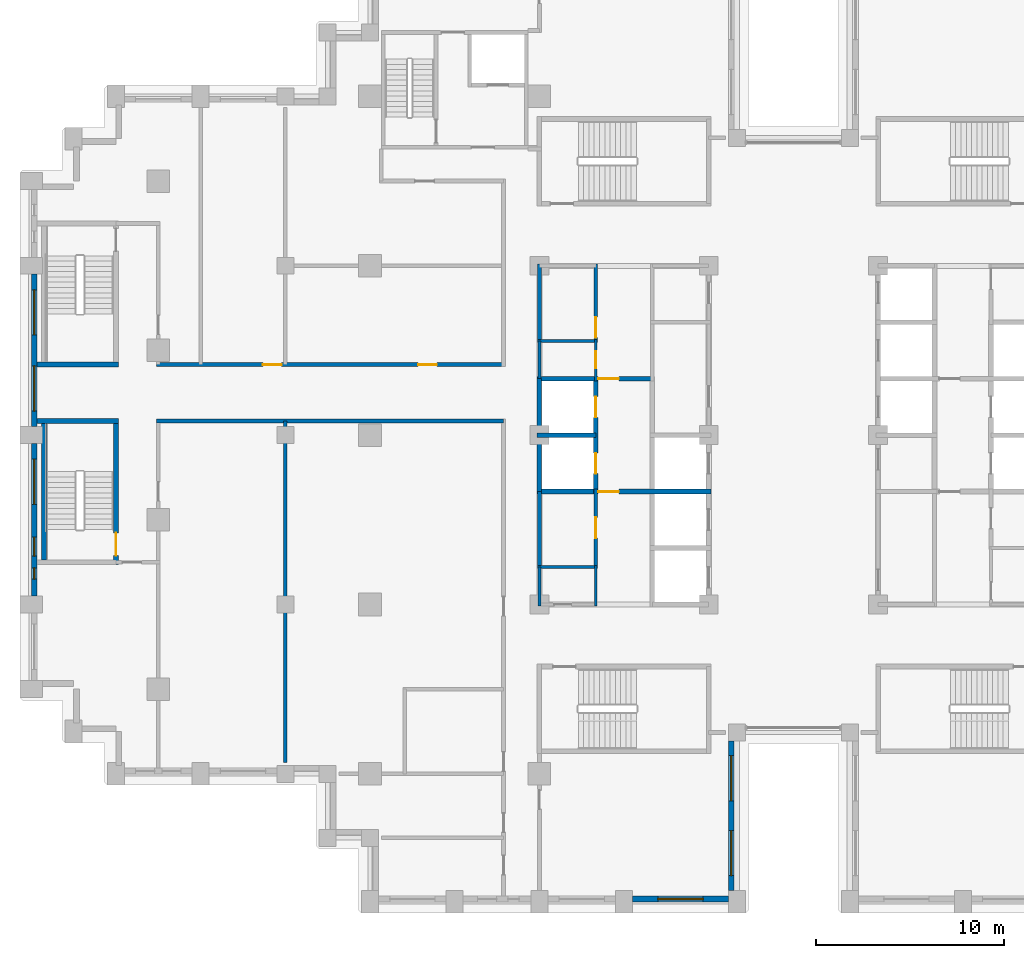
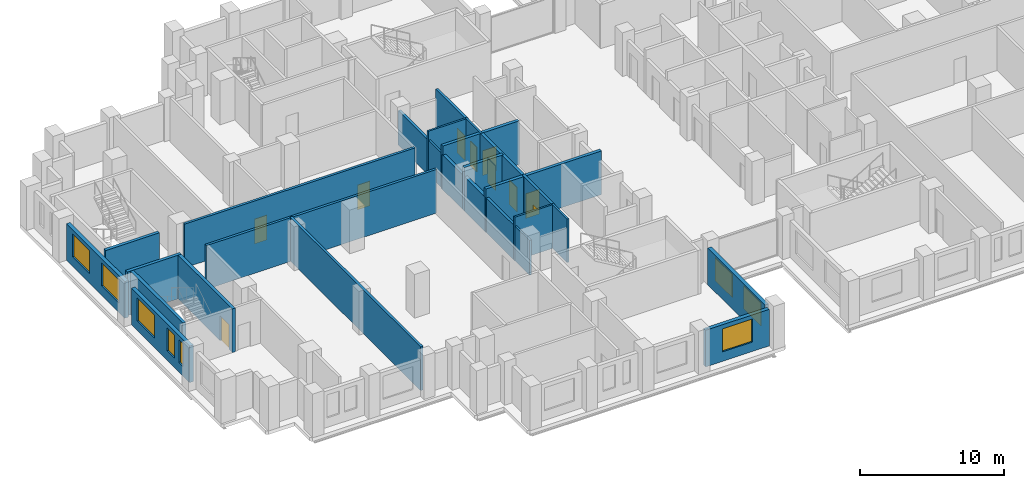
# One storey, part 7 of 16: 26 walls, 10 doors, 8 windows, 18 openings.
"""IFC4 building model written with IfcOpenShell, lengths in metres."""

from ifc_helpers import new_model, si_unit, direction, frame, frame_2d, origin, place, context, subcontext, project, spatial, rectangle, extrude, material, layer, layer_set, type_object, element, fill, save


model = new_model("IFC4")

# Units and contexts
model_context = context("Model", 3, precision=1e-05, world=origin(), true_north=direction((0.0, 1.0)))
body_context = subcontext(model_context, "Body", "Model", "MODEL_VIEW")
ifc_project = project(units=[si_unit("LENGTHUNIT", "METRE"), si_unit("AREAUNIT", "SQUARE_METRE"), si_unit("VOLUMEUNIT", "CUBIC_METRE"), si_unit("PLANEANGLEUNIT", "RADIAN"), si_unit("MASSUNIT", "GRAM", prefix="KILO")], contexts=[model_context])

# Site, building, storey
site_placement = place(None, origin())
site = spatial("IfcSite", under=ifc_project, at=site_placement, CompositionType="ELEMENT")
building_placement = place(site_placement, origin())
building = spatial("IfcBuilding", under=site, at=building_placement, Name="Corbelhall Arena Tower", CompositionType="ELEMENT")
storey_placement = place(building_placement, frame((0.0, 0.0, 72.0)))
storey = spatial("IfcBuildingStorey", under=building, at=storey_placement, Name="L10", CompositionType="ELEMENT", Elevation=72.0)

# Wall, openings, windows
ifc_material_1 = material(Name="Precast concrete C40/50 with granite facing", Category="masonry")
ifc_layer_1 = layer(ifc_material_1, 0.300048828125)
ifc_layer_set_1 = layer_set([ifc_layer_1], Name="EV-IW1 Infill panel 300")
wall_type_1 = type_object("IfcWallType", Name="EV-IW1 Infill panel 300", PredefinedType="SOLIDWALL", material=ifc_layer_set_1)
wall_1_placement = place(storey_placement, frame((-40.35009765625, 8.550048828125, 0.0), z_axis=(0.0, 0.0, 1.0), x_axis=(0.0, -1.0, 0.0)))
wall_1 = element("IfcWall", 1, at=wall_1_placement, inside=storey, type_object=wall_type_1, Name="Infill panel IW1", PredefinedType="SOLIDWALL", context=body_context, shape_type="SweptSolid", body=[
    extrude(rectangle(XDim=8.10009765625, YDim=0.300048828125, at=frame_2d((4.050048828125, 0.0))), origin(), (0.0, 0.0, 1.0), 3.10009765625),
])
opening_1_placement = place(wall_1_placement, frame((0.824951171875, 0.0, 0.800048828125)))
opening_1 = element("IfcOpeningElement", 2, at=opening_1_placement, cuts=wall_1, Name="Opening WN1", PredefinedType="OPENING", context=body_context, shape_type="SweptSolid", body=[
    extrude(rectangle(XDim=2.39990234375, YDim=1.949951171875, at=frame_2d((1.199951171875, 0.97509765625))), frame((0.0, 0.14990234375, 0.0), z_axis=(0.0, -1.0, 0.0), x_axis=(1.0, 0.0, 0.0)), (0.0, 0.0, 1.0), 0.300048828125),
])
opening_2_placement = place(wall_1_placement, frame((4.875, 0.0, 0.800048828125)))
opening_2 = element("IfcOpeningElement", 3, at=opening_2_placement, cuts=wall_1, Name="Opening WN1", PredefinedType="OPENING", context=body_context, shape_type="SweptSolid", body=[
    extrude(rectangle(XDim=2.39990234375, YDim=1.949951171875, at=frame_2d((1.199951171875, 0.97509765625))), frame((0.0, 0.14990234375, 0.0), z_axis=(0.0, -1.0, 0.0), x_axis=(1.0, 0.0, 0.0)), (0.0, 0.0, 1.0), 0.300048828125),
])
ifc_material_2 = material(Name="Aluminium black anodised", Category="aluminium")
window_type_1 = type_object("IfcWindowType", Name="EV-WN1 Office window", PartitioningType="SINGLE_PANEL", PredefinedType="WINDOW", material=ifc_material_2)
window_1_placement = place(opening_1_placement, origin())
window_1 = element("IfcWindow", 4, at=window_1_placement, inside=storey, type_object=window_type_1, Name="Window WN1", OverallHeight=1.949951171875, OverallWidth=2.39990234375, PartitioningType="SINGLE_PANEL", PredefinedType="WINDOW", context=body_context, shape_type="SweptSolid", body=[
    extrude(rectangle(XDim=2.39990234375, YDim=1.949951171875, at=frame_2d((1.199951171875, 0.97509765625))), frame((0.0, 0.030029296875, 0.0), z_axis=(0.0, -1.0, 0.0), x_axis=(1.0, 0.0, 0.0)), (0.0, 0.0, 1.0), 0.06005859375),
])
fill(opening_1, window_1)
window_2_placement = place(opening_2_placement, origin())
window_2 = element("IfcWindow", 5, at=window_2_placement, inside=storey, type_object=window_type_1, Name="Window WN1", OverallHeight=1.949951171875, OverallWidth=2.39990234375, PartitioningType="SINGLE_PANEL", PredefinedType="WINDOW", context=body_context, shape_type="SweptSolid", body=[
    extrude(rectangle(XDim=2.39990234375, YDim=1.949951171875, at=frame_2d((1.199951171875, 0.97509765625))), frame((0.0, 0.030029296875, 0.0), z_axis=(0.0, -1.0, 0.0), x_axis=(1.0, 0.0, 0.0)), (0.0, 0.0, 1.0), 0.06005859375),
])
fill(opening_2, window_2)

wall_2_placement = place(storey_placement, frame((-40.35009765625, -0.449951171875, 0.0), z_axis=(0.0, 0.0, 1.0), x_axis=(0.0, -1.0, 0.0)))
wall_2 = element("IfcWall", 6, at=wall_2_placement, inside=storey, type_object=wall_type_1, Name="Infill panel IW1", PredefinedType="SOLIDWALL", context=body_context, shape_type="SweptSolid", body=[
    extrude(rectangle(XDim=8.10009765625, YDim=0.300048828125, at=frame_2d((4.050048828125, 0.0))), origin(), (0.0, 0.0, 1.0), 3.10009765625),
])
opening_3_placement = place(wall_2_placement, frame((0.824951171875, 0.0, 0.800048828125)))
opening_3 = element("IfcOpeningElement", 7, at=opening_3_placement, cuts=wall_2, Name="Opening WN1", PredefinedType="OPENING", context=body_context, shape_type="SweptSolid", body=[
    extrude(rectangle(XDim=2.39990234375, YDim=1.949951171875, at=frame_2d((1.199951171875, 0.97509765625))), frame((0.0, 0.14990234375, 0.0), z_axis=(0.0, -1.0, 0.0), x_axis=(1.0, 0.0, 0.0)), (0.0, 0.0, 1.0), 0.300048828125),
])
opening_4_placement = place(wall_2_placement, frame((4.97509765625, 0.0, 0.800048828125)))
opening_4 = element("IfcOpeningElement", 8, at=opening_4_placement, cuts=wall_2, Name="Opening WN6", PredefinedType="OPENING", context=body_context, shape_type="SweptSolid", body=[
    extrude(rectangle(XDim=1.0, YDim=1.949951171875, at=frame_2d((0.5, 0.97509765625))), frame((0.0, 0.14990234375, 0.0), z_axis=(0.0, -1.0, 0.0), x_axis=(1.0, 0.0, 0.0)), (0.0, 0.0, 1.0), 0.300048828125),
])
opening_5_placement = place(wall_2_placement, frame((6.60009765625, 0.0, 0.800048828125)))
opening_5 = element("IfcOpeningElement", 9, at=opening_5_placement, cuts=wall_2, Name="Opening WN5", PredefinedType="OPENING", context=body_context, shape_type="SweptSolid", body=[
    extrude(rectangle(XDim=0.60009765625, YDim=1.949951171875, at=frame_2d((0.300048828125, 0.97509765625))), frame((0.0, 0.14990234375, 0.0), z_axis=(0.0, -1.0, 0.0), x_axis=(1.0, 0.0, 0.0)), (0.0, 0.0, 1.0), 0.300048828125),
])
window_3_placement = place(opening_3_placement, origin())
window_3 = element("IfcWindow", 10, at=window_3_placement, inside=storey, type_object=window_type_1, Name="Window WN1", OverallHeight=1.949951171875, OverallWidth=2.39990234375, PartitioningType="SINGLE_PANEL", PredefinedType="WINDOW", context=body_context, shape_type="SweptSolid", body=[
    extrude(rectangle(XDim=2.39990234375, YDim=1.949951171875, at=frame_2d((1.199951171875, 0.97509765625))), frame((0.0, 0.030029296875, 0.0), z_axis=(0.0, -1.0, 0.0), x_axis=(1.0, 0.0, 0.0)), (0.0, 0.0, 1.0), 0.06005859375),
])
fill(opening_3, window_3)
window_type_2 = type_object("IfcWindowType", Name="EV-WN5 Office window 600", PartitioningType="SINGLE_PANEL", PredefinedType="WINDOW", material=ifc_material_2)
window_4_placement = place(opening_5_placement, origin())
window_4 = element("IfcWindow", 11, at=window_4_placement, inside=storey, type_object=window_type_2, Name="Window WN5", OverallHeight=1.949951171875, OverallWidth=0.60009765625, PartitioningType="SINGLE_PANEL", PredefinedType="WINDOW", context=body_context, shape_type="SweptSolid", body=[
    extrude(rectangle(XDim=0.60009765625, YDim=1.949951171875, at=frame_2d((0.300048828125, 0.97509765625))), frame((0.0, 0.030029296875, 0.0), z_axis=(0.0, -1.0, 0.0), x_axis=(1.0, 0.0, 0.0)), (0.0, 0.0, 1.0), 0.06005859375),
])
fill(opening_5, window_4)
window_type_3 = type_object("IfcWindowType", Name="EV-WN6 Office window 1000", PartitioningType="SINGLE_PANEL", PredefinedType="WINDOW", material=ifc_material_2)
window_5_placement = place(opening_4_placement, origin())
window_5 = element("IfcWindow", 12, at=window_5_placement, inside=storey, type_object=window_type_3, Name="Window WN6", OverallHeight=1.949951171875, OverallWidth=1.0, PartitioningType="SINGLE_PANEL", PredefinedType="WINDOW", context=body_context, shape_type="SweptSolid", body=[
    extrude(rectangle(XDim=1.0, YDim=1.949951171875, at=frame_2d((0.5, 0.97509765625))), frame((0.0, 0.030029296875, 0.0), z_axis=(0.0, -1.0, 0.0), x_axis=(1.0, 0.0, 0.0)), (0.0, 0.0, 1.0), 0.06005859375),
])
fill(opening_4, window_5)

# Wall, opening, window
wall_3_placement = place(storey_placement, frame((-8.550048828125, -24.64990234375, 0.0), z_axis=(0.0, 0.0, 1.0), x_axis=(1.0, 0.0, 0.0)))
wall_3 = element("IfcWall", 13, at=wall_3_placement, inside=storey, type_object=wall_type_1, Name="Infill panel IW1", PredefinedType="SOLIDWALL", context=body_context, shape_type="SweptSolid", body=[
    extrude(rectangle(XDim=5.10009765625, YDim=0.300048828125, at=frame_2d((2.550048828125, 0.0))), origin(), (0.0, 0.0, 1.0), 3.10009765625),
])
opening_6_placement = place(wall_3_placement, frame((1.35009765625, 0.0, 0.800048828125)))
opening_6 = element("IfcOpeningElement", 14, at=opening_6_placement, cuts=wall_3, Name="Opening WN1", PredefinedType="OPENING", context=body_context, shape_type="SweptSolid", body=[
    extrude(rectangle(XDim=2.39990234375, YDim=1.949951171875, at=frame_2d((1.199951171875, 0.97509765625))), frame((0.0, 0.14990234375, 0.0), z_axis=(0.0, -1.0, 0.0), x_axis=(1.0, 0.0, 0.0)), (0.0, 0.0, 1.0), 0.300048828125),
])
window_6_placement = place(opening_6_placement, origin())
window_6 = element("IfcWindow", 15, at=window_6_placement, inside=storey, type_object=window_type_1, Name="Window WN1", OverallHeight=1.949951171875, OverallWidth=2.39990234375, PartitioningType="SINGLE_PANEL", PredefinedType="WINDOW", context=body_context, shape_type="SweptSolid", body=[
    extrude(rectangle(XDim=2.39990234375, YDim=1.949951171875, at=frame_2d((1.199951171875, 0.97509765625))), frame((0.0, 0.030029296875, 0.0), z_axis=(0.0, -1.0, 0.0), x_axis=(1.0, 0.0, 0.0)), (0.0, 0.0, 1.0), 0.06005859375),
])
fill(opening_6, window_6)

# Wall, openings, windows
wall_4_placement = place(storey_placement, frame((-3.300048828125, -24.199951171875, 0.0), z_axis=(0.0, 0.0, 1.0), x_axis=(0.0, 1.0, 0.0)))
wall_4 = element("IfcWall", 16, at=wall_4_placement, inside=storey, type_object=wall_type_1, Name="Infill panel IW1", PredefinedType="SOLIDWALL", context=body_context, shape_type="SweptSolid", body=[
    extrude(rectangle(XDim=7.949951171875, YDim=0.300048828125, at=frame_2d((3.97509765625, 0.0))), origin(), (0.0, 0.0, 1.0), 3.10009765625),
])
opening_7_placement = place(wall_4_placement, frame((0.78759765625, 0.0, 0.800048828125)))
opening_7 = element("IfcOpeningElement", 17, at=opening_7_placement, cuts=wall_4, Name="Opening WN1", PredefinedType="OPENING", context=body_context, shape_type="SweptSolid", body=[
    extrude(rectangle(XDim=2.39990234375, YDim=1.949951171875, at=frame_2d((1.199951171875, 0.97509765625))), frame((0.0, 0.14990234375, 0.0), z_axis=(0.0, -1.0, 0.0), x_axis=(1.0, 0.0, 0.0)), (0.0, 0.0, 1.0), 0.300048828125),
])
opening_8_placement = place(wall_4_placement, frame((4.762451171875, 0.0, 0.800048828125)))
opening_8 = element("IfcOpeningElement", 18, at=opening_8_placement, cuts=wall_4, Name="Opening WN1", PredefinedType="OPENING", context=body_context, shape_type="SweptSolid", body=[
    extrude(rectangle(XDim=2.39990234375, YDim=1.949951171875, at=frame_2d((1.199951171875, 0.97509765625))), frame((0.0, 0.14990234375, 0.0), z_axis=(0.0, -1.0, 0.0), x_axis=(1.0, 0.0, 0.0)), (0.0, 0.0, 1.0), 0.300048828125),
])
window_7_placement = place(opening_7_placement, origin())
window_7 = element("IfcWindow", 19, at=window_7_placement, inside=storey, type_object=window_type_1, Name="Window WN1", OverallHeight=1.949951171875, OverallWidth=2.39990234375, PartitioningType="SINGLE_PANEL", PredefinedType="WINDOW", context=body_context, shape_type="SweptSolid", body=[
    extrude(rectangle(XDim=2.39990234375, YDim=1.949951171875, at=frame_2d((1.199951171875, 0.97509765625))), frame((0.0, 0.030029296875, 0.0), z_axis=(0.0, -1.0, 0.0), x_axis=(1.0, 0.0, 0.0)), (0.0, 0.0, 1.0), 0.06005859375),
])
fill(opening_7, window_7)
window_8_placement = place(opening_8_placement, origin())
window_8 = element("IfcWindow", 20, at=window_8_placement, inside=storey, type_object=window_type_1, Name="Window WN1", OverallHeight=1.949951171875, OverallWidth=2.39990234375, PartitioningType="SINGLE_PANEL", PredefinedType="WINDOW", context=body_context, shape_type="SweptSolid", body=[
    extrude(rectangle(XDim=2.39990234375, YDim=1.949951171875, at=frame_2d((1.199951171875, 0.97509765625))), frame((0.0, 0.030029296875, 0.0), z_axis=(0.0, -1.0, 0.0), x_axis=(1.0, 0.0, 0.0)), (0.0, 0.0, 1.0), 0.06005859375),
])
fill(opening_8, window_8)

# Wall, openings, doors
ifc_material_3 = material(Name="Gypsum board on steel stud, acoustic", Category="steel")
ifc_layer_2 = layer(ifc_material_3, 0.199951171875)
ifc_layer_set_2 = layer_set([ifc_layer_2], Name="IN-W-DM200")
wall_type_2 = type_object("IfcWallType", Name="IN-W-DM200", PredefinedType="PARTITIONING", material=ifc_layer_set_2)
wall_5_placement = place(storey_placement, frame((-33.85009765625, 3.75, 0.0), z_axis=(0.0, 0.0, 1.0), x_axis=(1.0, 0.0, 0.0)))
wall_5 = element("IfcWall", 21, at=wall_5_placement, inside=storey, type_object=wall_type_2, Name="Partition 002", PredefinedType="PARTITIONING", context=body_context, shape_type="SweptSolid", body=[
    extrude(rectangle(XDim=18.4501953125, YDim=0.199951171875, at=frame_2d((9.22509765625, 0.0))), origin(), (0.0, 0.0, 1.0), 3.699951171875),
])
opening_9_placement = place(wall_5_placement, frame((13.89990234375, 0.0, 0.0)))
opening_9 = element("IfcOpeningElement", 22, at=opening_9_placement, cuts=wall_5, Name="Opening 01027", PredefinedType="OPENING", context=body_context, shape_type="SweptSolid", body=[
    extrude(rectangle(XDim=1.0, YDim=2.10009765625, at=frame_2d((0.5, 1.050048828125))), frame((0.0, 0.10009765625, 0.0), z_axis=(0.0, -1.0, 0.0), x_axis=(1.0, 0.0, 0.0)), (0.0, 0.0, 1.0), 0.199951171875),
])
opening_10_placement = place(wall_5_placement, frame((5.64990234375, 0.0, 0.0)))
opening_10 = element("IfcOpeningElement", 23, at=opening_10_placement, cuts=wall_5, Name="Opening 01041", PredefinedType="OPENING", context=body_context, shape_type="SweptSolid", body=[
    extrude(rectangle(XDim=1.0, YDim=2.10009765625, at=frame_2d((0.5, 1.050048828125))), frame((0.0, 0.10009765625, 0.0), z_axis=(0.0, -1.0, 0.0), x_axis=(1.0, 0.0, 0.0)), (0.0, 0.0, 1.0), 0.199951171875),
])
ifc_material_4 = material(Name="Steel door set", Category="steel")
door_type_1 = type_object("IfcDoorType", Name="IN-D-SW100", OperationType="NOTDEFINED", PredefinedType="DOOR", material=ifc_material_4)
door_1_placement = place(opening_9_placement, origin())
door_1 = element("IfcDoor", 24, at=door_1_placement, inside=storey, type_object=door_type_1, Name="Door 027", OperationType="SINGLE_SWING_RIGHT", OverallHeight=2.10009765625, OverallWidth=1.0, PredefinedType="DOOR", context=body_context, shape_type="SweptSolid", body=[
    extrude(rectangle(XDim=1.0, YDim=2.10009765625, at=frame_2d((0.5, 1.050048828125))), frame((0.0, 0.02490234375, 0.0), z_axis=(0.0, -1.0, 0.0), x_axis=(1.0, 0.0, 0.0)), (0.0, 0.0, 1.0), 0.050048828125),
])
fill(opening_9, door_1)
door_2_placement = place(opening_10_placement, origin())
door_2 = element("IfcDoor", 25, at=door_2_placement, inside=storey, type_object=door_type_1, Name="Door 041", OperationType="SINGLE_SWING_RIGHT", OverallHeight=2.10009765625, OverallWidth=1.0, PredefinedType="DOOR", context=body_context, shape_type="SweptSolid", body=[
    extrude(rectangle(XDim=1.0, YDim=2.10009765625, at=frame_2d((0.5, 1.050048828125))), frame((0.0, 0.02490234375, 0.0), z_axis=(0.0, -1.0, 0.0), x_axis=(1.0, 0.0, 0.0)), (0.0, 0.0, 1.0), 0.050048828125),
])
fill(opening_10, door_2)

# Walls
wall_6_placement = place(storey_placement, frame((-27.0, -17.39990234375, 0.0), z_axis=(0.0, 0.0, 1.0), x_axis=(0.0, 1.0, 0.0)))
element("IfcWall", 26, at=wall_6_placement, inside=storey, type_object=wall_type_2, Name="Partition 008", PredefinedType="PARTITIONING", context=body_context, shape_type="SweptSolid", body=[
    extrude(rectangle(XDim=18.14990234375, YDim=0.199951171875, at=frame_2d((9.074951171875, 0.0))), origin(), (0.0, 0.0, 1.0), 3.699951171875),
])
wall_7_placement = place(storey_placement, frame((-15.39990234375, 0.75, 0.0), z_axis=(0.0, 0.0, 1.0), x_axis=(-1.0, 0.0, 0.0)))
element("IfcWall", 27, at=wall_7_placement, inside=storey, type_object=wall_type_2, Name="Partition 010", PredefinedType="PARTITIONING", context=body_context, shape_type="SweptSolid", body=[
    extrude(rectangle(XDim=18.4501953125, YDim=0.199951171875, at=frame_2d((9.22509765625, 0.0))), origin(), (0.0, 0.0, 1.0), 3.699951171875),
])

# Wall, opening, door
ifc_material_5 = material(Name="Concrete block wall", Category="concrete")
ifc_layer_3 = layer(ifc_material_5, 0.199951171875)
ifc_layer_set_3 = layer_set([ifc_layer_3], Name="IN-W-RS200")
wall_type_3 = type_object("IfcWallType", Name="IN-W-RS200", PredefinedType="SOLIDWALL", material=ifc_layer_set_3)
wall_8_placement = place(storey_placement, frame((-10.5, -7.074951171875, 0.0), z_axis=(0.0, 0.0, 1.0), x_axis=(0.0, 1.0, 0.0)))
wall_8 = element("IfcWall", 28, at=wall_8_placement, inside=storey, type_object=wall_type_3, Name="Partition 047", PredefinedType="SOLIDWALL", context=body_context, shape_type="SweptSolid", body=[
    extrude(rectangle(XDim=4.199951171875, YDim=0.199951171875, at=frame_2d((2.10009765625, 0.0))), origin(), (0.0, 0.0, 1.0), 3.699951171875),
])
opening_11_placement = place(wall_8_placement, frame((1.60009765625, 0.0, 0.0)))
opening_11 = element("IfcOpeningElement", 29, at=opening_11_placement, cuts=wall_8, Name="Opening 01006", PredefinedType="OPENING", context=body_context, shape_type="SweptSolid", body=[
    extrude(rectangle(XDim=1.10009765625, YDim=2.10009765625, at=frame_2d((0.550048828125, 1.050048828125))), frame((0.0, 0.10009765625, 0.0), z_axis=(0.0, -1.0, 0.0), x_axis=(1.0, 0.0, 0.0)), (0.0, 0.0, 1.0), 0.199951171875),
])
door_type_2 = type_object("IfcDoorType", Name="IN-D-FD110", OperationType="NOTDEFINED", PredefinedType="DOOR", material=ifc_material_4)
door_3_placement = place(opening_11_placement, origin())
door_3 = element("IfcDoor", 30, at=door_3_placement, inside=storey, type_object=door_type_2, Name="Door 006", OperationType="SINGLE_SWING_LEFT", OverallHeight=2.10009765625, OverallWidth=1.10009765625, PredefinedType="DOOR", context=body_context, shape_type="SweptSolid", body=[
    extrude(rectangle(XDim=1.10009765625, YDim=2.10009765625, at=frame_2d((0.550048828125, 1.050048828125))), frame((0.0, 0.02490234375, 0.0), z_axis=(0.0, -1.0, 0.0), x_axis=(1.0, 0.0, 0.0)), (0.0, 0.0, 1.0), 0.050048828125),
])
fill(opening_11, door_3)

wall_9_placement = place(storey_placement, frame((-10.5, 4.925048828125, 0.0), z_axis=(0.0, 0.0, 1.0), x_axis=(0.0, 1.0, 0.0)))
wall_9 = element("IfcWall", 31, at=wall_9_placement, inside=storey, type_object=wall_type_3, Name="Partition 048", PredefinedType="SOLIDWALL", context=body_context, shape_type="SweptSolid", body=[
    extrude(rectangle(XDim=4.175048828125, YDim=0.199951171875, at=frame_2d((2.08740234375, 0.0))), origin(), (0.0, 0.0, 1.0), 3.699951171875),
])
opening_12_placement = place(wall_9_placement, frame((0.25, 0.0, 0.0)))
opening_12 = element("IfcOpeningElement", 32, at=opening_12_placement, cuts=wall_9, Name="Opening 01007", PredefinedType="OPENING", context=body_context, shape_type="SweptSolid", body=[
    extrude(rectangle(XDim=1.10009765625, YDim=2.10009765625, at=frame_2d((0.550048828125, 1.050048828125))), frame((0.0, 0.10009765625, 0.0), z_axis=(0.0, -1.0, 0.0), x_axis=(1.0, 0.0, 0.0)), (0.0, 0.0, 1.0), 0.199951171875),
])
door_4_placement = place(opening_12_placement, origin())
door_4 = element("IfcDoor", 33, at=door_4_placement, inside=storey, type_object=door_type_2, Name="Door 007", OperationType="SINGLE_SWING_RIGHT", OverallHeight=2.10009765625, OverallWidth=1.10009765625, PredefinedType="DOOR", context=body_context, shape_type="SweptSolid", body=[
    extrude(rectangle(XDim=1.10009765625, YDim=2.10009765625, at=frame_2d((0.550048828125, 1.050048828125))), frame((0.0, 0.02490234375, 0.0), z_axis=(0.0, -1.0, 0.0), x_axis=(1.0, 0.0, 0.0)), (0.0, 0.0, 1.0), 0.050048828125),
])
fill(opening_12, door_4)

# Walls
ifc_layer_4 = layer(ifc_material_5, 0.199951171875)
ifc_layer_set_4 = layer_set([ifc_layer_4], Name="IN-W-RS200 under beam 762 mm")
wall_type_4 = type_object("IfcWallType", Name="IN-W-RS200 under beam 762 mm", PredefinedType="SOLIDWALL", material=ifc_layer_set_4)
wall_10_placement = place(storey_placement, frame((-13.5, -7.0, 0.0), z_axis=(0.0, 0.0, 1.0), x_axis=(0.0, 1.0, 0.0)))
element("IfcWall", 34, at=wall_10_placement, inside=storey, type_object=wall_type_4, Name="Partition 044", PredefinedType="SOLIDWALL", context=body_context, shape_type="SweptSolid", body=[
    extrude(rectangle(XDim=4.0, YDim=0.199951171875, at=frame_2d((2.0, 0.0))), origin(), (0.0, 0.0, 1.0), 2.93798828125),
])
wall_11_placement = place(storey_placement, frame((-13.5, 5.0, 0.0), z_axis=(0.0, 0.0, 1.0), x_axis=(0.0, 1.0, 0.0)))
element("IfcWall", 35, at=wall_11_placement, inside=storey, type_object=wall_type_4, Name="Partition 045", PredefinedType="SOLIDWALL", context=body_context, shape_type="SweptSolid", body=[
    extrude(rectangle(XDim=4.10009765625, YDim=0.199951171875, at=frame_2d((2.050048828125, 0.0))), origin(), (0.0, 0.0, 1.0), 2.93798828125),
])
ifc_material_6 = material(Name="Concrete C40/50", Category="concrete")
ifc_layer_5 = layer(ifc_material_6, 0.25)
ifc_layer_set_5 = layer_set([ifc_layer_5], Name="IN-W-SH250")
wall_type_5 = type_object("IfcWallType", Name="IN-W-SH250", PredefinedType="SOLIDWALL", material=ifc_layer_set_5)
wall_12_placement = place(storey_placement, frame((-13.625, 0.0, 0.0), z_axis=(0.0, 0.0, 1.0), x_axis=(1.0, 0.0, 0.0)))
element("IfcWall", 36, at=wall_12_placement, inside=storey, type_object=wall_type_5, Name="Shaft wall 062", PredefinedType="SOLIDWALL", context=body_context, shape_type="SweptSolid", body=[
    extrude(rectangle(XDim=3.125, YDim=0.25, at=frame_2d((1.5625, 0.0))), origin(), (0.0, 0.0, 1.0), 3.699951171875),
])

# Wall, opening, door
wall_13_placement = place(storey_placement, frame((-13.625, 3.0, 0.0), z_axis=(0.0, 0.0, 1.0), x_axis=(1.0, 0.0, 0.0)))
wall_13 = element("IfcWall", 37, at=wall_13_placement, inside=storey, type_object=wall_type_5, Name="Shaft wall 063", PredefinedType="SOLIDWALL", context=body_context, shape_type="SweptSolid", body=[
    extrude(rectangle(XDim=6.125, YDim=0.25, at=frame_2d((3.0625, 0.0))), origin(), (0.0, 0.0, 1.0), 3.699951171875),
])
opening_13_placement = place(wall_13_placement, frame((3.25, 0.0, 0.0)))
opening_13 = element("IfcOpeningElement", 38, at=opening_13_placement, cuts=wall_13, Name="Opening 01004", PredefinedType="OPENING", context=body_context, shape_type="SweptSolid", body=[
    extrude(rectangle(XDim=1.10009765625, YDim=2.10009765625, at=frame_2d((0.550048828125, 1.050048828125))), frame((0.0, 0.125, 0.0), z_axis=(0.0, -1.0, 0.0), x_axis=(1.0, 0.0, 0.0)), (0.0, 0.0, 1.0), 0.25),
])
door_5_placement = place(opening_13_placement, origin())
door_5 = element("IfcDoor", 39, at=door_5_placement, inside=storey, type_object=door_type_2, Name="Door 004", OperationType="SINGLE_SWING_LEFT", OverallHeight=2.10009765625, OverallWidth=1.10009765625, PredefinedType="DOOR", context=body_context, shape_type="SweptSolid", body=[
    extrude(rectangle(XDim=1.10009765625, YDim=2.10009765625, at=frame_2d((0.550048828125, 1.050048828125))), frame((0.0, 0.02490234375, 0.0), z_axis=(0.0, -1.0, 0.0), x_axis=(1.0, 0.0, 0.0)), (0.0, 0.0, 1.0), 0.050048828125),
])
fill(opening_13, door_5)

wall_14_placement = place(storey_placement, frame((-13.625, -3.0, 0.0), z_axis=(0.0, 0.0, 1.0), x_axis=(1.0, 0.0, 0.0)))
wall_14 = element("IfcWall", 40, at=wall_14_placement, inside=storey, type_object=wall_type_5, Name="Shaft wall 065", PredefinedType="SOLIDWALL", context=body_context, shape_type="SweptSolid", body=[
    extrude(rectangle(XDim=9.25, YDim=0.25, at=frame_2d((4.625, 0.0))), origin(), (0.0, 0.0, 1.0), 3.699951171875),
])
opening_14_placement = place(wall_14_placement, frame((3.25, 0.0, 0.0)))
opening_14 = element("IfcOpeningElement", 41, at=opening_14_placement, cuts=wall_14, Name="Opening 01003", PredefinedType="OPENING", context=body_context, shape_type="SweptSolid", body=[
    extrude(rectangle(XDim=1.10009765625, YDim=2.10009765625, at=frame_2d((0.550048828125, 1.050048828125))), frame((0.0, 0.125, 0.0), z_axis=(0.0, -1.0, 0.0), x_axis=(1.0, 0.0, 0.0)), (0.0, 0.0, 1.0), 0.25),
])
door_6_placement = place(opening_14_placement, origin())
door_6 = element("IfcDoor", 42, at=door_6_placement, inside=storey, type_object=door_type_2, Name="Door 003", OperationType="SINGLE_SWING_RIGHT", OverallHeight=2.10009765625, OverallWidth=1.10009765625, PredefinedType="DOOR", context=body_context, shape_type="SweptSolid", body=[
    extrude(rectangle(XDim=1.10009765625, YDim=2.10009765625, at=frame_2d((0.550048828125, 1.050048828125))), frame((0.0, 0.02490234375, 0.0), z_axis=(0.0, -1.0, 0.0), x_axis=(1.0, 0.0, 0.0)), (0.0, 0.0, 1.0), 0.050048828125),
])
fill(opening_14, door_6)

# Wall, openings, doors
wall_15_placement = place(storey_placement, frame((-10.5, -3.125, 0.0), z_axis=(0.0, 0.0, 1.0), x_axis=(0.0, 1.0, 0.0)))
wall_15 = element("IfcWall", 43, at=wall_15_placement, inside=storey, type_object=wall_type_5, Name="Shaft wall 066", PredefinedType="SOLIDWALL", context=body_context, shape_type="SweptSolid", body=[
    extrude(rectangle(XDim=6.25, YDim=0.25, at=frame_2d((3.125, 0.0))), origin(), (0.0, 0.0, 1.0), 3.699951171875),
])
opening_15_placement = place(wall_15_placement, frame((1.074951171875, 0.0, 0.0)))
opening_15 = element("IfcOpeningElement", 44, at=opening_15_placement, cuts=wall_15, Name="Opening LD", PredefinedType="OPENING", context=body_context, shape_type="SweptSolid", body=[
    extrude(rectangle(XDim=1.10009765625, YDim=2.10009765625, at=frame_2d((0.550048828125, 1.050048828125))), frame((0.0, 0.125, 0.0), z_axis=(0.0, -1.0, 0.0), x_axis=(1.0, 0.0, 0.0)), (0.0, 0.0, 1.0), 0.25),
])
opening_16_placement = place(wall_15_placement, frame((4.074951171875, 0.0, 0.0)))
opening_16 = element("IfcOpeningElement", 45, at=opening_16_placement, cuts=wall_15, Name="Opening LD", PredefinedType="OPENING", context=body_context, shape_type="SweptSolid", body=[
    extrude(rectangle(XDim=1.10009765625, YDim=2.10009765625, at=frame_2d((0.550048828125, 1.050048828125))), frame((0.0, 0.125, 0.0), z_axis=(0.0, -1.0, 0.0), x_axis=(1.0, 0.0, 0.0)), (0.0, 0.0, 1.0), 0.25),
])
door_type_3 = type_object("IfcDoorType", Name="IN-D-LD110", OperationType="NOTDEFINED", PredefinedType="DOOR", material=ifc_material_4)
door_7_placement = place(opening_15_placement, origin())
door_7 = element("IfcDoor", 46, at=door_7_placement, inside=storey, type_object=door_type_3, Name="Landing door W3", OperationType="SLIDING_TO_LEFT", OverallHeight=2.10009765625, OverallWidth=1.10009765625, PredefinedType="DOOR", context=body_context, shape_type="SweptSolid", body=[
    extrude(rectangle(XDim=1.10009765625, YDim=2.10009765625, at=frame_2d((0.550048828125, 1.050048828125))), frame((0.0, 0.02490234375, 0.0), z_axis=(0.0, -1.0, 0.0), x_axis=(1.0, 0.0, 0.0)), (0.0, 0.0, 1.0), 0.050048828125),
])
fill(opening_15, door_7)
door_8_placement = place(opening_16_placement, origin())
door_8 = element("IfcDoor", 47, at=door_8_placement, inside=storey, type_object=door_type_3, Name="Landing door W4", OperationType="SLIDING_TO_LEFT", OverallHeight=2.10009765625, OverallWidth=1.10009765625, PredefinedType="DOOR", context=body_context, shape_type="SweptSolid", body=[
    extrude(rectangle(XDim=1.10009765625, YDim=2.10009765625, at=frame_2d((0.550048828125, 1.050048828125))), frame((0.0, 0.02490234375, 0.0), z_axis=(0.0, -1.0, 0.0), x_axis=(1.0, 0.0, 0.0)), (0.0, 0.0, 1.0), 0.050048828125),
])
fill(opening_16, door_8)

# Walls
ifc_layer_6 = layer(ifc_material_6, 0.25)
ifc_layer_set_6 = layer_set([ifc_layer_6], Name="IN-W-SH250 under beam 762 mm")
wall_type_6 = type_object("IfcWallType", Name="IN-W-SH250 under beam 762 mm", PredefinedType="SOLIDWALL", material=ifc_layer_set_6)
wall_16_placement = place(storey_placement, frame((-13.5, -3.0, 0.0), z_axis=(0.0, 0.0, 1.0), x_axis=(0.0, 1.0, 0.0)))
element("IfcWall", 48, at=wall_16_placement, inside=storey, type_object=wall_type_6, Name="Shaft wall 064", PredefinedType="SOLIDWALL", context=body_context, shape_type="SweptSolid", body=[
    extrude(rectangle(XDim=6.0, YDim=0.25, at=frame_2d((3.0, 0.0))), origin(), (0.0, 0.0, 1.0), 2.93798828125),
])
ifc_layer_7 = layer(ifc_material_6, 0.25)
ifc_layer_set_7 = layer_set([ifc_layer_7], Name="IN-W-ST250")
wall_type_7 = type_object("IfcWallType", Name="IN-W-ST250", PredefinedType="SOLIDWALL", material=ifc_layer_set_7)
wall_17_placement = place(storey_placement, frame((-40.199951171875, 3.75, 0.0), z_axis=(0.0, 0.0, 1.0), x_axis=(1.0, 0.0, 0.0)))
element("IfcWall", 49, at=wall_17_placement, inside=storey, type_object=wall_type_7, Name="Shaft wall 083", PredefinedType="SOLIDWALL", context=body_context, shape_type="SweptSolid", body=[
    extrude(rectangle(XDim=4.324951171875, YDim=0.25, at=frame_2d((2.16259765625, 0.0))), origin(), (0.0, 0.0, 1.0), 3.699951171875),
])

# Wall, opening, door
wall_18_placement = place(storey_placement, frame((-36.0, 0.75, 0.0), z_axis=(0.0, 0.0, 1.0), x_axis=(0.0, -1.0, 0.0)))
wall_18 = element("IfcWall", 50, at=wall_18_placement, inside=storey, type_object=wall_type_7, Name="Shaft wall 086", PredefinedType="SOLIDWALL", context=body_context, shape_type="SweptSolid", body=[
    extrude(rectangle(XDim=7.625, YDim=0.25, at=frame_2d((3.8125, 0.0))), origin(), (0.0, 0.0, 1.0), 3.699951171875),
])
opening_17_placement = place(wall_18_placement, frame((5.949951171875, 0.0, 0.0)))
opening_17 = element("IfcOpeningElement", 51, at=opening_17_placement, cuts=wall_18, Name="Opening 01020", PredefinedType="OPENING", context=body_context, shape_type="SweptSolid", body=[
    extrude(rectangle(XDim=1.199951171875, YDim=2.10009765625, at=frame_2d((0.60009765625, 1.050048828125))), frame((0.0, 0.125, 0.0), z_axis=(0.0, -1.0, 0.0), x_axis=(1.0, 0.0, 0.0)), (0.0, 0.0, 1.0), 0.25),
])
door_type_4 = type_object("IfcDoorType", Name="IN-D-ST120", OperationType="NOTDEFINED", PredefinedType="DOOR", material=ifc_material_4)
door_9_placement = place(opening_17_placement, origin())
door_9 = element("IfcDoor", 52, at=door_9_placement, inside=storey, type_object=door_type_4, Name="Door 020", OperationType="SINGLE_SWING_LEFT", OverallHeight=2.10009765625, OverallWidth=1.199951171875, PredefinedType="DOOR", context=body_context, shape_type="SweptSolid", body=[
    extrude(rectangle(XDim=1.199951171875, YDim=2.10009765625, at=frame_2d((0.60009765625, 1.050048828125))), frame((0.0, 0.02490234375, 0.0), z_axis=(0.0, -1.0, 0.0), x_axis=(1.0, 0.0, 0.0)), (0.0, 0.0, 1.0), 0.050048828125),
])
fill(opening_17, door_9)

# Walls
wall_19_placement = place(storey_placement, frame((-35.875, 0.75, 0.0), z_axis=(0.0, 0.0, 1.0), x_axis=(-1.0, 0.0, 0.0)))
element("IfcWall", 53, at=wall_19_placement, inside=storey, type_object=wall_type_7, Name="Shaft wall 088", PredefinedType="SOLIDWALL", context=body_context, shape_type="SweptSolid", body=[
    extrude(rectangle(XDim=4.324951171875, YDim=0.25, at=frame_2d((2.16259765625, 0.0))), origin(), (0.0, 0.0, 1.0), 3.699951171875),
])
wall_20_placement = place(storey_placement, frame((-39.824951171875, -6.625, 0.0), z_axis=(0.0, 0.0, 1.0), x_axis=(0.0, 1.0, 0.0)))
element("IfcWall", 54, at=wall_20_placement, inside=storey, type_object=wall_type_7, Name="Shaft wall SC2 facade side", PredefinedType="SOLIDWALL", context=body_context, shape_type="SweptSolid", body=[
    extrude(rectangle(XDim=7.25, YDim=0.25, at=frame_2d((3.625, 0.0))), origin(), (0.0, 0.0, 1.0), 3.699951171875),
])
ifc_material_7 = material(Name="Gypsum board on steel stud, moisture resistant", Category="steel")
ifc_layer_8 = layer(ifc_material_7, 0.14990234375)
ifc_layer_set_8 = layer_set([ifc_layer_8], Name="IN-W-WC150")
wall_type_8 = type_object("IfcWallType", Name="IN-W-WC150", PredefinedType="PARTITIONING", material=ifc_layer_set_8)
for number, where, z_axis, x_axis, name in (
    (55, (-13.60009765625, -7.0, 0.0), (0.0, 0.0, 1.0), (1.0, 0.0, 0.0), "Partition 111"),
    (56, (-13.60009765625, 5.0, 0.0), (0.0, 0.0, 1.0), (1.0, 0.0, 0.0), "Partition 112"),
):
    element("IfcWall", number, at=place(storey_placement, frame(where, z_axis=z_axis, x_axis=x_axis)), inside=storey, type_object=wall_type_8, Name=name, PredefinedType="PARTITIONING", context=body_context, shape_type="SweptSolid", body=[
        extrude(rectangle(XDim=3.10009765625, YDim=0.14990234375, at=frame_2d((1.550048828125, 0.0))), origin(), (0.0, 0.0, 1.0), 3.699951171875),
    ])
wall_21_placement = place(storey_placement, frame((-10.5, -9.074951171875, 0.0), z_axis=(0.0, 0.0, 1.0), x_axis=(0.0, 1.0, 0.0)))
element("IfcWall", 57, at=wall_21_placement, inside=storey, type_object=wall_type_8, Name="Partition 115", PredefinedType="PARTITIONING", context=body_context, shape_type="SweptSolid", body=[
    extrude(rectangle(XDim=2.14990234375, YDim=0.14990234375, at=frame_2d((1.074951171875, 0.0))), origin(), (0.0, 0.0, 1.0), 3.699951171875),
])

# Wall, opening, door
wall_22_placement = place(storey_placement, frame((-10.5, 2.875, 0.0), z_axis=(0.0, 0.0, 1.0), x_axis=(0.0, 1.0, 0.0)))
wall_22 = element("IfcWall", 58, at=wall_22_placement, inside=storey, type_object=wall_type_8, Name="Partition 117", PredefinedType="PARTITIONING", context=body_context, shape_type="SweptSolid", body=[
    extrude(rectangle(XDim=2.199951171875, YDim=0.14990234375, at=frame_2d((1.10009765625, 0.0))), origin(), (0.0, 0.0, 1.0), 3.699951171875),
])
opening_18_placement = place(wall_22_placement, frame((0.669921875, 0.0, 0.0)))
opening_18 = element("IfcOpeningElement", 59, at=opening_18_placement, cuts=wall_22, Name="Opening 01047", PredefinedType="OPENING", context=body_context, shape_type="SweptSolid", body=[
    extrude(rectangle(XDim=0.89990234375, YDim=2.10009765625, at=frame_2d((0.449951171875, 1.050048828125))), frame((0.0, 0.074951171875, 0.0), z_axis=(0.0, -1.0, 0.0), x_axis=(1.0, 0.0, 0.0)), (0.0, 0.0, 1.0), 0.14990234375),
])
ifc_material_8 = material(Name="Timber door set", Category="wood")
door_type_5 = type_object("IfcDoorType", Name="IN-D-SW90", OperationType="NOTDEFINED", PredefinedType="DOOR", material=ifc_material_8)
door_10_placement = place(opening_18_placement, origin())
door_10 = element("IfcDoor", 60, at=door_10_placement, inside=storey, type_object=door_type_5, Name="Door 047", OperationType="SINGLE_SWING_LEFT", OverallHeight=2.10009765625, OverallWidth=0.89990234375, PredefinedType="DOOR", context=body_context, shape_type="SweptSolid", body=[
    extrude(rectangle(XDim=0.89990234375, YDim=2.10009765625, at=frame_2d((0.449951171875, 1.050048828125))), frame((0.0, 0.02490234375, 0.0), z_axis=(0.0, -1.0, 0.0), x_axis=(1.0, 0.0, 0.0)), (0.0, 0.0, 1.0), 0.050048828125),
])
fill(opening_18, door_10)

# Walls
ifc_layer_9 = layer(ifc_material_7, 0.14990234375)
ifc_layer_set_9 = layer_set([ifc_layer_9], Name="IN-W-WC150 under beam 762 mm")
wall_type_9 = type_object("IfcWallType", Name="IN-W-WC150 under beam 762 mm", PredefinedType="PARTITIONING", material=ifc_layer_set_9)
wall_23_placement = place(storey_placement, frame((-13.5, -9.074951171875, 0.0), z_axis=(0.0, 0.0, 1.0), x_axis=(0.0, 1.0, 0.0)))
element("IfcWall", 61, at=wall_23_placement, inside=storey, type_object=wall_type_9, Name="Partition 113", PredefinedType="PARTITIONING", context=body_context, shape_type="SweptSolid", body=[
    extrude(rectangle(XDim=2.074951171875, YDim=0.14990234375, at=frame_2d((1.03759765625, 0.0))), origin(), (0.0, 0.0, 1.0), 2.93798828125),
])
wall_24_placement = place(storey_placement, frame((-13.5, 3.0, 0.0), z_axis=(0.0, 0.0, 1.0), x_axis=(0.0, 1.0, 0.0)))
element("IfcWall", 62, at=wall_24_placement, inside=storey, type_object=wall_type_9, Name="Partition 114", PredefinedType="PARTITIONING", context=body_context, shape_type="SweptSolid", body=[
    extrude(rectangle(XDim=2.0, YDim=0.14990234375, at=frame_2d((1.0, 0.0))), origin(), (0.0, 0.0, 1.0), 2.93798828125),
])

save(model, "model.ifc")
